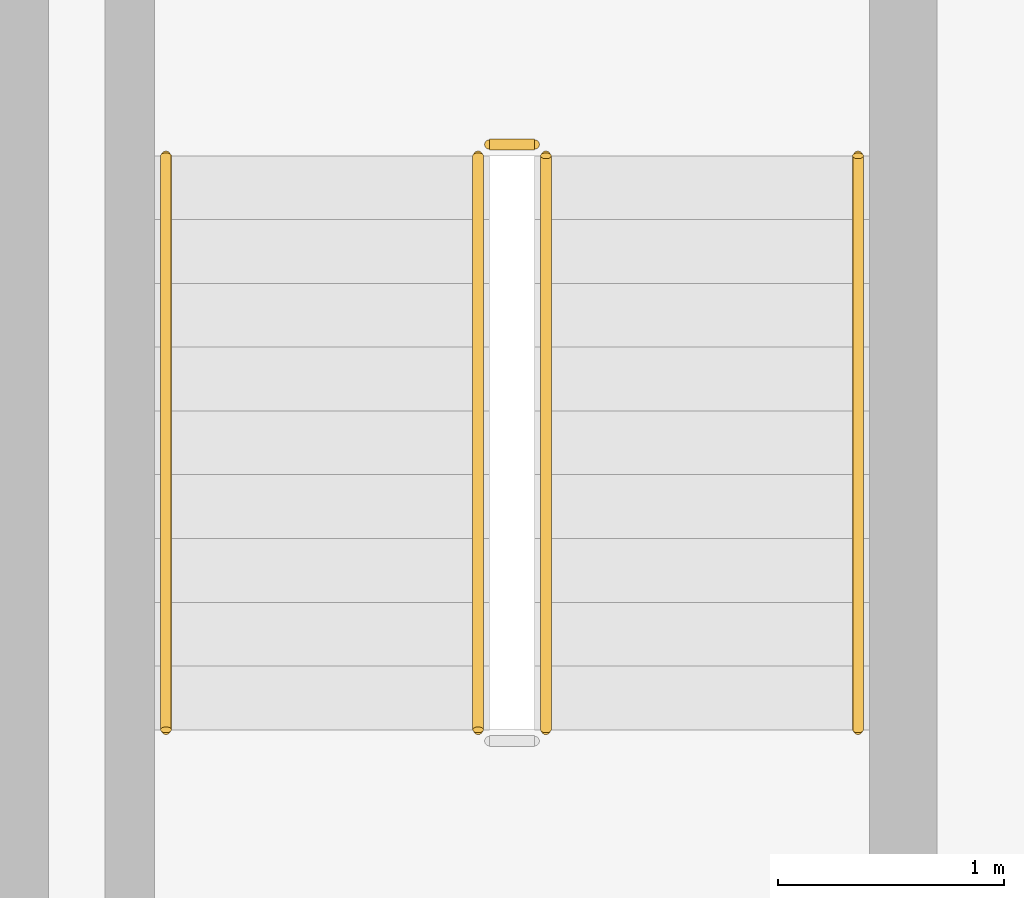
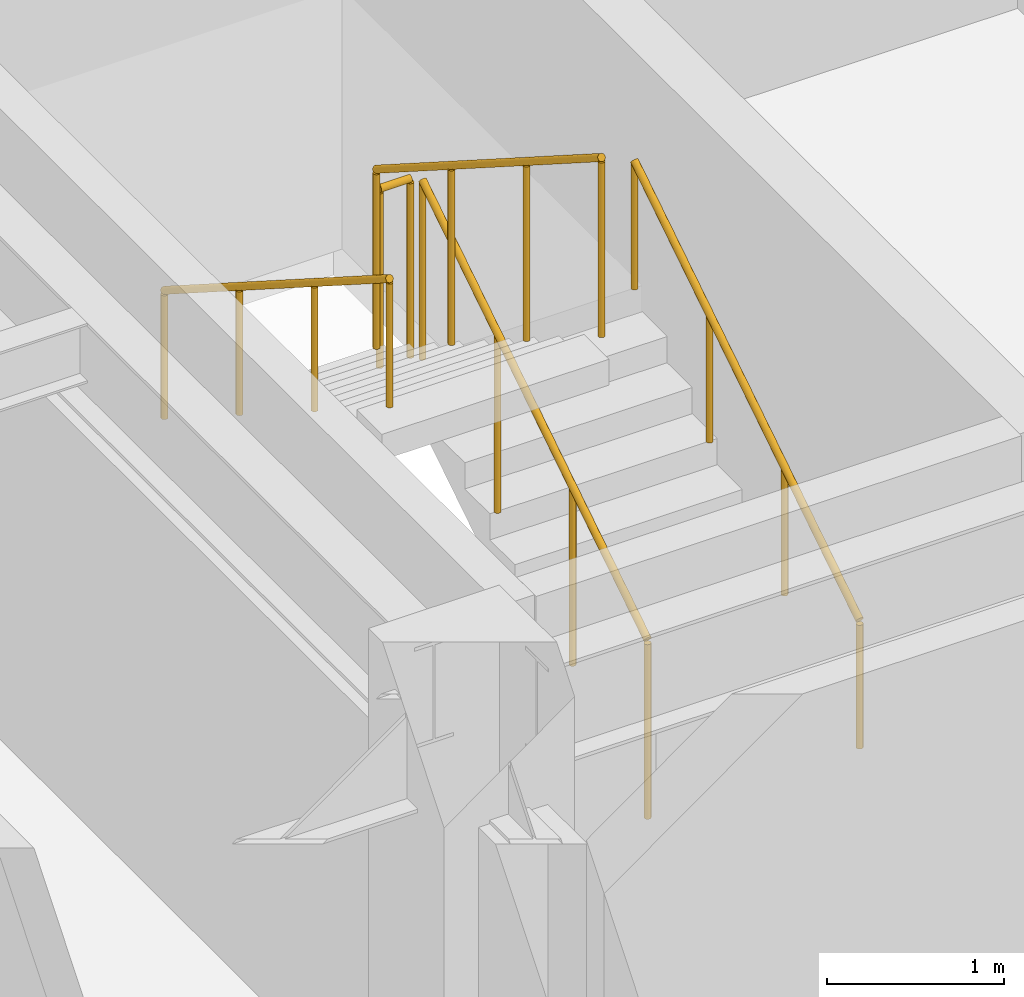
# One storey, part 14 of 14: 5 railings.
"""IFC4 building model written with IfcOpenShell, lengths in metres."""

from ifc_helpers import new_model, si_unit, direction, frame, origin, origin_2d, place, context, subcontext, project, spatial, circle, extrude, material, type_object, element, save


model = new_model("IFC4")

# Units and contexts
model_context = context("Model", 3, precision=1e-05, world=origin(), true_north=direction((0.0, 1.0)))
body_context = subcontext(model_context, "Body", "Model", "MODEL_VIEW")
ifc_project = project(units=[si_unit("LENGTHUNIT", "METRE"), si_unit("AREAUNIT", "SQUARE_METRE"), si_unit("VOLUMEUNIT", "CUBIC_METRE"), si_unit("PLANEANGLEUNIT", "RADIAN"), si_unit("MASSUNIT", "GRAM", prefix="KILO")], contexts=[model_context])

# Site, building, storey
site_placement = place(None, origin())
site = spatial("IfcSite", under=ifc_project, at=site_placement, CompositionType="ELEMENT")
building_placement = place(site_placement, origin())
building = spatial("IfcBuilding", under=site, at=building_placement, Name="Ochreholt Gables", CompositionType="ELEMENT")
storey_placement = place(building_placement, frame((0.0, 0.0, 52.800048828125)))
storey = spatial("IfcBuildingStorey", under=building, at=storey_placement, Name="L13", CompositionType="ELEMENT", Elevation=52.800048828125)

# Railings
ifc_material_1 = material(Name="Painted Steel Stair Guardrail", Category="steel")
railing_type_1 = type_object("IfcRailingType", Name="RL-ST-GUARD", PredefinedType="GUARDRAIL", material=ifc_material_1)
railing_1_placement = place(storey_placement, frame((26.64990234375, 32.4599609375, 0.179931640625)))
element("IfcRailing", 1, at=railing_1_placement, inside=storey, type_object=railing_type_1, Name="L13 ST-2 stair guard 1", PredefinedType="GUARDRAIL", context=body_context, shape_type="SweptSolid", body=[
    extrude(circle(Radius=0.02392578125, at=origin_2d()), frame((0.0, 0.0, 1.22607421875), z_axis=(0.0, 0.842912820907, 0.538050161556), x_axis=(-1.0, 0.0, 0.0)), (0.0, 0.0, 1.0), 3.010986328125),
    extrude(circle(Radius=0.02099609375, at=origin_2d()), origin(), (0.0, 0.0, 1.0), 1.201904296875),
    extrude(circle(Radius=0.02099609375, at=origin_2d()), frame((0.0, 0.845947265625, 0.5400390625)), (0.0, 0.0, 1.0), 1.201904296875),
    extrude(circle(Radius=0.02099609375, at=origin_2d()), frame((0.0, 1.692138671875, 1.080078125)), (0.0, 0.0, 1.0), 1.201904296875),
    extrude(circle(Radius=0.02099609375, at=origin_2d()), frame((0.0, 2.5380859375, 1.6201171875)), (0.0, 0.0, 1.0), 1.201904296875),
])
railing_2_placement = place(storey_placement, frame((26.60009765625, 35.048095703125, 1.800048828125)))
element("IfcRailing", 2, at=railing_2_placement, inside=storey, type_object=railing_type_1, Name="L13 ST-2 stair guard 2", PredefinedType="GUARDRAIL", context=body_context, shape_type="SweptSolid", body=[
    extrude(circle(Radius=0.02392578125, at=origin_2d()), frame((0.0, 0.0, 1.22607421875), z_axis=(-1.0, 0.0, 0.0), x_axis=(0.0, -1.0, 0.0)), (0.0, 0.0, 1.0), 0.2001953125),
    extrude(circle(Radius=0.02099609375, at=origin_2d()), origin(), (0.0, 0.0, 1.0), 1.201904296875),
    extrude(circle(Radius=0.02099609375, at=origin_2d()), frame((-0.2001953125, 0.0, 0.0)), (0.0, 0.0, 1.0), 1.201904296875),
])
railing_3_placement = place(storey_placement, frame((26.35009765625, 34.998046875, 1.97998046875)))
element("IfcRailing", 3, at=railing_3_placement, inside=storey, type_object=railing_type_1, Name="L13 ST-2 stair guard 3", PredefinedType="GUARDRAIL", context=body_context, shape_type="SweptSolid", body=[
    extrude(circle(Radius=0.02392578125, at=origin_2d()), frame((0.0, 0.0, 1.22607421875), z_axis=(0.0, -0.842949592929, 0.537992549931), x_axis=(1.0, 0.0, 0.0)), (0.0, 0.0, 1.0), 3.010986328125),
    extrude(circle(Radius=0.02099609375, at=origin_2d()), origin(), (0.0, 0.0, 1.0), 1.201904296875),
    extrude(circle(Radius=0.02099609375, at=origin_2d()), frame((0.0, -0.845947265625, 0.5400390625)), (0.0, 0.0, 1.0), 1.201904296875),
    extrude(circle(Radius=0.02099609375, at=origin_2d()), frame((0.0, -1.692138671875, 1.079833984375)), (0.0, 0.0, 1.0), 1.201904296875),
    extrude(circle(Radius=0.02099609375, at=origin_2d()), frame((0.0, -2.5380859375, 1.619873046875)), (0.0, 0.0, 1.0), 1.201904296875),
])
ifc_material_2 = material(Name="Brushed Stainless Steel Wall Handrail", Category="steel")
railing_type_2 = type_object("IfcRailingType", Name="RL-ST-HAND", PredefinedType="HANDRAIL", material=ifc_material_2)
railing_4_placement = place(storey_placement, frame((28.030029296875, 32.4599609375, 0.179931640625)))
element("IfcRailing", 4, at=railing_4_placement, inside=storey, type_object=railing_type_2, Name="L13 ST-2 stair handrail 1", PredefinedType="HANDRAIL", context=body_context, shape_type="SweptSolid", body=[
    extrude(circle(Radius=0.02392578125, at=origin_2d()), frame((0.0, 0.0, 0.8759765625), z_axis=(0.0, 0.842912820907, 0.538050161556), x_axis=(-1.0, 0.0, 0.0)), (0.0, 0.0, 1.0), 3.010986328125),
    extrude(circle(Radius=0.02099609375, at=origin_2d()), origin(), (0.0, 0.0, 1.0), 0.851806640625),
    extrude(circle(Radius=0.02099609375, at=origin_2d()), frame((0.0, 0.845947265625, 0.5400390625)), (0.0, 0.0, 1.0), 0.851806640625),
    extrude(circle(Radius=0.02099609375, at=origin_2d()), frame((0.0, 1.692138671875, 1.080078125)), (0.0, 0.0, 1.0), 0.851806640625),
    extrude(circle(Radius=0.02099609375, at=origin_2d()), frame((0.0, 2.5380859375, 1.6201171875)), (0.0, 0.0, 1.0), 0.851806640625),
])
railing_5_placement = place(storey_placement, frame((24.969970703125, 34.998046875, 1.97998046875)))
element("IfcRailing", 5, at=railing_5_placement, inside=storey, type_object=railing_type_2, Name="L13 ST-2 stair handrail 2", PredefinedType="HANDRAIL", context=body_context, shape_type="SweptSolid", body=[
    extrude(circle(Radius=0.02392578125, at=origin_2d()), frame((0.0, 0.0, 0.8759765625), z_axis=(0.0, -0.842949592929, 0.537992549931), x_axis=(1.0, 0.0, 0.0)), (0.0, 0.0, 1.0), 3.010986328125),
    extrude(circle(Radius=0.02099609375, at=origin_2d()), origin(), (0.0, 0.0, 1.0), 0.851806640625),
    extrude(circle(Radius=0.02099609375, at=origin_2d()), frame((0.0, -0.845947265625, 0.5400390625)), (0.0, 0.0, 1.0), 0.851806640625),
    extrude(circle(Radius=0.02099609375, at=origin_2d()), frame((0.0, -1.692138671875, 1.079833984375)), (0.0, 0.0, 1.0), 0.851806640625),
    extrude(circle(Radius=0.02099609375, at=origin_2d()), frame((0.0, -2.5380859375, 1.619873046875)), (0.0, 0.0, 1.0), 0.851806640625),
])

save(model, "model.ifc")
